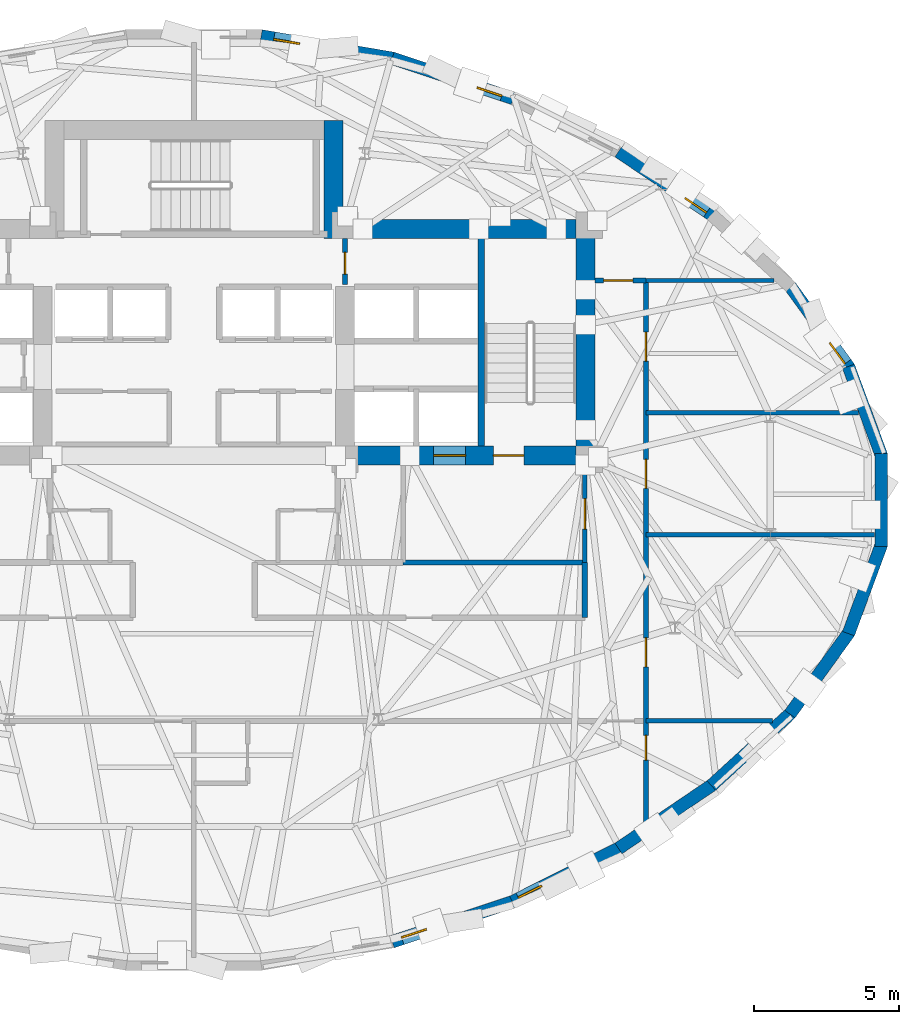
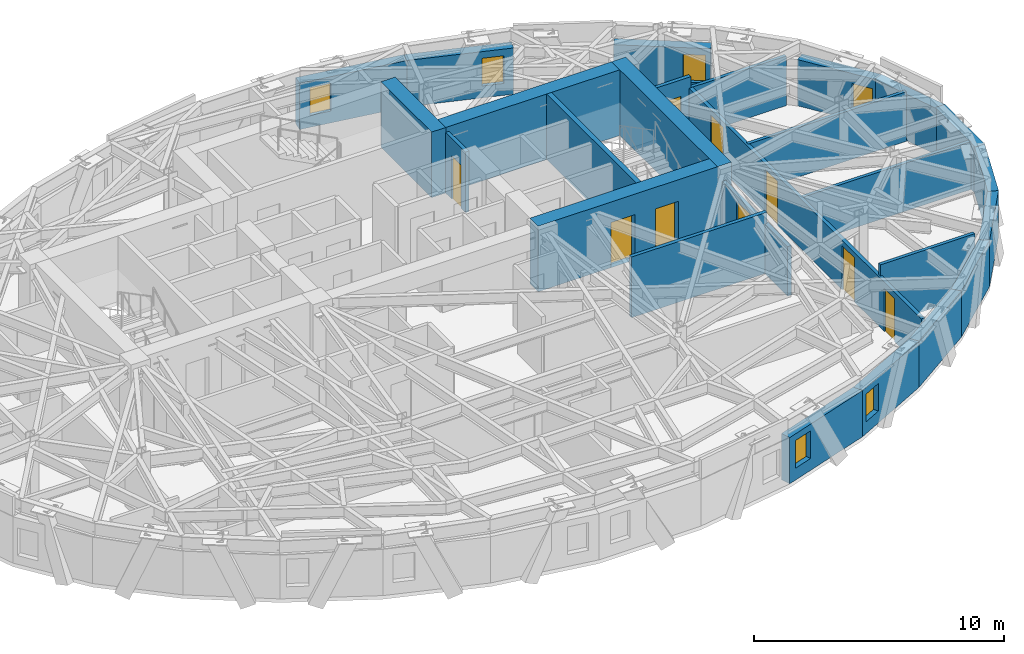
# One storey, part 8 of 12: 27 walls, 9 doors, 6 windows, 15 openings.
"""IFC4 building model written with IfcOpenShell, lengths in metres."""

from ifc_helpers import new_model, si_unit, direction, frame, frame_2d, origin, place, context, subcontext, project, spatial, rectangle, extrude, material, layer, layer_set, type_object, element, fill, save


model = new_model("IFC4")

# Units and contexts
model_context = context("Model", 3, precision=1e-05, world=origin(), true_north=direction((0.0, 1.0)))
body_context = subcontext(model_context, "Body", "Model", "MODEL_VIEW")
ifc_project = project(units=[si_unit("LENGTHUNIT", "METRE"), si_unit("AREAUNIT", "SQUARE_METRE"), si_unit("VOLUMEUNIT", "CUBIC_METRE"), si_unit("PLANEANGLEUNIT", "RADIAN"), si_unit("MASSUNIT", "GRAM", prefix="KILO")], contexts=[model_context])

# Site, building, storey
site_placement = place(None, origin())
site = spatial("IfcSite", under=ifc_project, at=site_placement, CompositionType="ELEMENT")
building_placement = place(site_placement, origin())
building = spatial("IfcBuilding", under=site, at=building_placement, Name="Keldmark Tower", CompositionType="ELEMENT")
storey_placement = place(building_placement, frame((0.0, 0.0, 198.199951171875)))
storey = spatial("IfcBuildingStorey", under=building, at=storey_placement, Name="L55", CompositionType="ELEMENT", Elevation=198.199951171875)

# Walls
ifc_material_1 = material(Name="Heavy Acoustic Plumbing Chase Gypsum Assembly", Category="gypsum")
ifc_layer_1 = layer(ifc_material_1, 0.18994140625)
ifc_layer_set_1 = layer_set([ifc_layer_1], Name="Heavy Acoustic Plumbing Chase Gypsum Assembly")
wall_type_1 = type_object("IfcWallType", Name="Heavy Wet Wall 190 mm", PredefinedType="PLUMBINGWALL", material=ifc_layer_set_1)
wall_1_placement = place(storey_placement, frame((13.449951171875, -4.050048828125, 0.0), z_axis=(0.0, 0.0, 1.0), x_axis=(0.0, 1.0, 0.0)))
element("IfcWall", 1, at=wall_1_placement, inside=storey, type_object=wall_type_1, Name="L55 Heavy Wet Wall 190 mm SPK-E-E", PredefinedType="PLUMBINGWALL", context=body_context, shape_type="SweptSolid", body=[
    extrude(rectangle(XDim=1.900146484375, YDim=0.18994140625, at=frame_2d((0.9501953125, 0.0))), origin(), (0.0, 0.0, 1.0), 2.4130859375),
])
ifc_material_2 = material(Name="Type X Fire-Rated Gypsum Partition Assembly", Category="gypsum")
ifc_layer_2 = layer(ifc_material_2, 0.1650390625)
ifc_layer_set_2 = layer_set([ifc_layer_2], Name="Type X Fire-Rated Gypsum Partition Assembly")
wall_type_2 = type_object("IfcWallType", Name="Rated Partition 165 mm", PredefinedType="PARTITIONING", material=ifc_layer_set_2)
wall_2_placement = place(storey_placement, frame((7.199951171875, -2.14990234375, 0.0), z_axis=(0.0, 0.0, 1.0), x_axis=(1.0, 0.0, 0.0)))
element("IfcWall", 2, at=wall_2_placement, inside=storey, type_object=wall_type_2, Name="L55 Rated Partition 165 mm FSAE-E-S", PredefinedType="PARTITIONING", context=body_context, shape_type="SweptSolid", body=[
    extrude(rectangle(XDim=6.25, YDim=0.1650390625, at=frame_2d((3.125, 0.0))), origin(), (0.0, 0.0, 1.0), 2.9599609375),
])

# Wall, opening, door
wall_3_placement = place(storey_placement, frame((13.449951171875, -2.14990234375, 0.0), z_axis=(0.0, 0.0, 1.0), x_axis=(0.0, 1.0, 0.0)))
wall_3 = element("IfcWall", 3, at=wall_3_placement, inside=storey, type_object=wall_type_2, Name="L55 Rated Partition 165 mm FSAE-E-E", PredefinedType="PARTITIONING", context=body_context, shape_type="SweptSolid", body=[
    extrude(rectangle(XDim=3.39990234375, YDim=0.1650390625, at=frame_2d((1.699951171875, 0.0))), origin(), (0.0, 0.0, 1.0), 2.4130859375),
])
opening_1_placement = place(wall_3_placement, frame((1.14990234375, 0.0, 0.0)))
opening_1 = element("IfcOpeningElement", 4, at=opening_1_placement, cuts=wall_3, Name="Opening D-FL105", PredefinedType="OPENING", context=body_context, shape_type="SweptSolid", body=[
    extrude(rectangle(XDim=1.050048828125, YDim=2.14990234375, at=frame_2d((0.52490234375, 1.074951171875))), frame((0.0, 0.092529296875, 0.0), z_axis=(0.0, -1.0, 0.0), x_axis=(1.0, 0.0, 0.0)), (0.0, 0.0, 1.0), 0.18505859375),
])
ifc_material_3 = material(Name="Fire-Rated Mineral-Core Door and Vision Lite", Category="metal")
door_type_1 = type_object("IfcDoorType", Name="Fire Lobby Door 1050x2150", OperationType="NOTDEFINED", PredefinedType="DOOR", material=ifc_material_3)
door_1_placement = place(opening_1_placement, origin())
door_1 = element("IfcDoor", 5, at=door_1_placement, inside=storey, type_object=door_type_1, Name="L55 Fire Lobby Door 1050x2150 D-FSAEE-OUT-L55", OperationType="SINGLE_SWING_LEFT", OverallHeight=2.14990234375, OverallWidth=1.050048828125, PredefinedType="DOOR", context=body_context, shape_type="SweptSolid", body=[
    extrude(rectangle(XDim=1.050048828125, YDim=2.14990234375, at=frame_2d((0.52490234375, 1.074951171875))), frame((0.0, 0.02490234375, 0.0), z_axis=(0.0, -1.0, 0.0), x_axis=(1.0, 0.0, 0.0)), (0.0, 0.0, 1.0), 0.050048828125),
])
fill(opening_1, door_1)

wall_4_placement = place(storey_placement, frame((5.199951171875, 7.419921875, 0.0), z_axis=(0.0, 0.0, 1.0), x_axis=(0.0, 1.0, 0.0)))
wall_4 = element("IfcWall", 6, at=wall_4_placement, inside=storey, type_object=wall_type_2, Name="L55 Rated Partition 165 mm CS-NE-W", PredefinedType="PARTITIONING", context=body_context, shape_type="SweptSolid", body=[
    extrude(rectangle(XDim=1.580078125, YDim=0.1650390625, at=frame_2d((0.7900390625, 0.0))), origin(), (0.0, 0.0, 1.0), 2.9599609375),
])
opening_2_placement = place(wall_4_placement, frame((0.35009765625, 0.0, 0.0)))
opening_2 = element("IfcOpeningElement", 7, at=opening_2_placement, cuts=wall_4, Name="Opening D-RS075", PredefinedType="OPENING", context=body_context, shape_type="SweptSolid", body=[
    extrude(rectangle(XDim=0.75, YDim=2.10009765625, at=frame_2d((0.375, 1.050048828125))), frame((0.0, 0.092529296875, 0.0), z_axis=(0.0, -1.0, 0.0), x_axis=(1.0, 0.0, 0.0)), (0.0, 0.0, 1.0), 0.18505859375),
])
ifc_material_4 = material(Name="Galvanized Fire-Rated Access Leaf", Category="metal")
door_type_2 = type_object("IfcDoorType", Name="Riser Access Door 750x2100", OperationType="NOTDEFINED", PredefinedType="DOOR", material=ifc_material_4)
door_2_placement = place(opening_2_placement, origin())
door_2 = element("IfcDoor", 8, at=door_2_placement, inside=storey, type_object=door_type_2, Name="L55 Riser Access Door 750x2100 D-CSNE1-L55", OperationType="SINGLE_SWING_LEFT", OverallHeight=2.10009765625, OverallWidth=0.75, PredefinedType="DOOR", context=body_context, shape_type="SweptSolid", body=[
    extrude(rectangle(XDim=0.75, YDim=2.10009765625, at=frame_2d((0.375, 1.050048828125))), frame((0.0, 0.02490234375, 0.0), z_axis=(0.0, -1.0, 0.0), x_axis=(1.0, 0.0, 0.0)), (0.0, 0.0, 1.0), 0.050048828125),
])
fill(opening_2, door_2)

# Wall, openings, doors
wall_5_placement = place(storey_placement, frame((15.550048828125, -11.072509765625, 0.0), z_axis=(0.0, 0.0, 1.0), x_axis=(0.0, 1.0, 0.0)))
wall_5 = element("IfcWall", 9, at=wall_5_placement, inside=storey, type_object=wall_type_2, Name="L55 Rated Partition 165 mm HCOR-E", PredefinedType="PARTITIONING", context=body_context, shape_type="SweptSolid", body=[
    extrude(rectangle(XDim=18.62255859375, YDim=0.1650390625, at=frame_2d((9.311279296875, 0.0))), origin(), (0.0, 0.0, 1.0), 2.4130859375),
])
opening_3_placement = place(wall_5_placement, frame((2.12255859375, 0.0, 0.0)))
opening_3 = element("IfcOpeningElement", 10, at=opening_3_placement, cuts=wall_5, Name="Opening D-IN085", PredefinedType="OPENING", context=body_context, shape_type="SweptSolid", body=[
    extrude(rectangle(XDim=0.85009765625, YDim=2.10009765625, at=frame_2d((0.425048828125, 1.050048828125))), frame((0.0, 0.092529296875, 0.0), z_axis=(0.0, -1.0, 0.0), x_axis=(1.0, 0.0, 0.0)), (0.0, 0.0, 1.0), 0.18505859375),
])
opening_4_placement = place(wall_5_placement, frame((5.33251953125, 0.0, 0.0)))
opening_4 = element("IfcOpeningElement", 11, at=opening_4_placement, cuts=wall_5, Name="Opening D-FD100", PredefinedType="OPENING", context=body_context, shape_type="SweptSolid", body=[
    extrude(rectangle(XDim=1.0, YDim=2.14990234375, at=frame_2d((0.5, 1.074951171875))), frame((0.0, 0.092529296875, 0.0), z_axis=(0.0, -1.0, 0.0), x_axis=(1.0, 0.0, 0.0)), (0.0, 0.0, 1.0), 0.18505859375),
])
opening_5_placement = place(wall_5_placement, frame((11.472412109375, 0.0, 0.0)))
opening_5 = element("IfcOpeningElement", 12, at=opening_5_placement, cuts=wall_5, Name="Opening D-FD100", PredefinedType="OPENING", context=body_context, shape_type="SweptSolid", body=[
    extrude(rectangle(XDim=1.0, YDim=2.14990234375, at=frame_2d((0.5, 1.074951171875))), frame((0.0, 0.092529296875, 0.0), z_axis=(0.0, -1.0, 0.0), x_axis=(1.0, 0.0, 0.0)), (0.0, 0.0, 1.0), 0.18505859375),
])
opening_6_placement = place(wall_5_placement, frame((15.847412109375, 0.0, 0.0)))
opening_6 = element("IfcOpeningElement", 13, at=opening_6_placement, cuts=wall_5, Name="Opening D-FD100", PredefinedType="OPENING", context=body_context, shape_type="SweptSolid", body=[
    extrude(rectangle(XDim=1.0, YDim=2.14990234375, at=frame_2d((0.5, 1.074951171875))), frame((0.0, 0.092529296875, 0.0), z_axis=(0.0, -1.0, 0.0), x_axis=(1.0, 0.0, 0.0)), (0.0, 0.0, 1.0), 0.18505859375),
])
ifc_material_5 = material(Name="Hollow Metal Fire-Rated Corridor Door", Category="metal")
door_type_3 = type_object("IfcDoorType", Name="Fire Door 1000x2150", OperationType="NOTDEFINED", PredefinedType="DOOR", material=ifc_material_5)
door_3_placement = place(opening_4_placement, origin())
door_3 = element("IfcDoor", 14, at=door_3_placement, inside=storey, type_object=door_type_3, Name="L55 Fire Door 1000x2150 D-HESP-1-L55", OperationType="SINGLE_SWING_LEFT", OverallHeight=2.14990234375, OverallWidth=1.0, PredefinedType="DOOR", context=body_context, shape_type="SweptSolid", body=[
    extrude(rectangle(XDim=1.0, YDim=2.14990234375, at=frame_2d((0.5, 1.074951171875))), frame((0.0, 0.02490234375, 0.0), z_axis=(0.0, -1.0, 0.0), x_axis=(1.0, 0.0, 0.0)), (0.0, 0.0, 1.0), 0.050048828125),
])
fill(opening_4, door_3)
door_4_placement = place(opening_5_placement, origin())
door_4 = element("IfcDoor", 15, at=door_4_placement, inside=storey, type_object=door_type_3, Name="L55 Fire Door 1000x2150 D-HESP-2-L55", OperationType="SINGLE_SWING_LEFT", OverallHeight=2.14990234375, OverallWidth=1.0, PredefinedType="DOOR", context=body_context, shape_type="SweptSolid", body=[
    extrude(rectangle(XDim=1.0, YDim=2.14990234375, at=frame_2d((0.5, 1.074951171875))), frame((0.0, 0.02490234375, 0.0), z_axis=(0.0, -1.0, 0.0), x_axis=(1.0, 0.0, 0.0)), (0.0, 0.0, 1.0), 0.050048828125),
])
fill(opening_5, door_4)
door_5_placement = place(opening_6_placement, origin())
door_5 = element("IfcDoor", 16, at=door_5_placement, inside=storey, type_object=door_type_3, Name="L55 Fire Door 1000x2150 D-HESP-3-L55", OperationType="SINGLE_SWING_LEFT", OverallHeight=2.14990234375, OverallWidth=1.0, PredefinedType="DOOR", context=body_context, shape_type="SweptSolid", body=[
    extrude(rectangle(XDim=1.0, YDim=2.14990234375, at=frame_2d((0.5, 1.074951171875))), frame((0.0, 0.02490234375, 0.0), z_axis=(0.0, -1.0, 0.0), x_axis=(1.0, 0.0, 0.0)), (0.0, 0.0, 1.0), 0.050048828125),
])
fill(opening_6, door_5)
ifc_material_6 = material(Name="Painted Architectural Wood", Category="wood")
door_type_4 = type_object("IfcDoorType", Name="Interior Door 850x2100", OperationType="NOTDEFINED", PredefinedType="DOOR", material=ifc_material_6)
door_6_placement = place(opening_3_placement, origin())
door_6 = element("IfcDoor", 17, at=door_6_placement, inside=storey, type_object=door_type_4, Name="L55 Interior Door 850x2100 D-HKSE-L55", OperationType="SINGLE_SWING_RIGHT", OverallHeight=2.10009765625, OverallWidth=0.85009765625, PredefinedType="DOOR", context=body_context, shape_type="SweptSolid", body=[
    extrude(rectangle(XDim=0.85009765625, YDim=2.10009765625, at=frame_2d((0.425048828125, 1.050048828125))), frame((0.0, 0.02490234375, 0.0), z_axis=(0.0, -1.0, 0.0), x_axis=(1.0, 0.0, 0.0)), (0.0, 0.0, 1.0), 0.050048828125),
])
fill(opening_3, door_6)

# Wall, opening, door
wall_6_placement = place(storey_placement, frame((13.800048828125, 7.550048828125, 0.0), z_axis=(0.0, 0.0, 1.0), x_axis=(1.0, 0.0, 0.0)))
wall_6 = element("IfcWall", 18, at=wall_6_placement, inside=storey, type_object=wall_type_2, Name="L55 Rated Partition 165 mm HCOR-EN", PredefinedType="PARTITIONING", context=body_context, shape_type="SweptSolid", body=[
    extrude(rectangle(XDim=1.75, YDim=0.1650390625, at=frame_2d((0.875, 0.0))), origin(), (0.0, 0.0, 1.0), 2.9599609375),
])
opening_7_placement = place(wall_6_placement, frame((0.300048828125, 0.0, 0.0)))
opening_7 = element("IfcOpeningElement", 19, at=opening_7_placement, cuts=wall_6, Name="Opening D-FD100", PredefinedType="OPENING", context=body_context, shape_type="SweptSolid", body=[
    extrude(rectangle(XDim=1.0, YDim=2.14990234375, at=frame_2d((0.5, 1.074951171875))), frame((0.0, 0.092529296875, 0.0), z_axis=(0.0, -1.0, 0.0), x_axis=(1.0, 0.0, 0.0)), (0.0, 0.0, 1.0), 0.18505859375),
])
door_7_placement = place(opening_7_placement, origin())
door_7 = element("IfcDoor", 20, at=door_7_placement, inside=storey, type_object=door_type_3, Name="L55 Fire Door 1000x2150 D-HNNE-L55", OperationType="SINGLE_SWING_RIGHT", OverallHeight=2.14990234375, OverallWidth=1.0, PredefinedType="DOOR", context=body_context, shape_type="SweptSolid", body=[
    extrude(rectangle(XDim=1.0, YDim=2.14990234375, at=frame_2d((0.5, 1.074951171875))), frame((0.0, 0.02490234375, 0.0), z_axis=(0.0, -1.0, 0.0), x_axis=(1.0, 0.0, 0.0)), (0.0, 0.0, 1.0), 0.050048828125),
])
fill(opening_7, door_7)

# Walls
ifc_material_7 = material(Name="Concrete C50/60", Category="concrete")
ifc_layer_3 = layer(ifc_material_7, 0.219970703125)
ifc_layer_set_3 = layer_set([ifc_layer_3], Name="Concrete C50/60")
wall_type_3 = type_object("IfcWallType", Name="Stair Core Shear Wall 220 mm", PredefinedType="SHEAR", material=ifc_layer_set_3)
wall_7_placement = place(storey_placement, frame((9.889892578125, 1.85009765625, 0.0), z_axis=(0.0, 0.0, 1.0), x_axis=(0.0, 1.0, 0.0)))
element("IfcWall", 21, at=wall_7_placement, inside=storey, type_object=wall_type_3, Name="L55 East Stair Core Shear Wall", PredefinedType="SHEAR", context=body_context, shape_type="SweptSolid", body=[
    extrude(rectangle(XDim=7.14990234375, YDim=0.219970703125, at=frame_2d((3.574951171875, 0.0))), origin(), (0.0, 0.0, 1.0), 3.199951171875),
])
ifc_material_8 = material(Name="Ironspot Manganese Brick and Kasota Buff Limestone Spandrel Assembly", Category="masonry")
ifc_layer_4 = layer(ifc_material_8, 0.43994140625)
ifc_layer_set_4 = layer_set([ifc_layer_4], Name="Ironspot Manganese Brick and Kasota Buff Limestone Spandrel Assembly")
wall_type_4 = type_object("IfcWallType", Name="Tower Brick Pier and Spandrel Wall 440 mm", PredefinedType="STANDARD", material=ifc_layer_set_4)
wall_8_placement = place(storey_placement, frame((22.51904296875, 4.597412109375, 0.0), z_axis=(0.0, 0.0, 1.0), x_axis=(0.346793746495, -0.937941414691, 0.0)))
element("IfcWall", 22, at=wall_8_placement, inside=storey, type_object=wall_type_4, Name="L55 Exterior Brick and Spandrel Wall 01", PredefinedType="STANDARD", context=body_context, shape_type="SweptSolid", body=[
    extrude(rectangle(XDim=3.2841796875, YDim=0.43994140625, at=frame_2d((1.64208984375, 0.0))), origin(), (0.0, 0.0, 1.0), 2.255126953125),
])

# Wall, opening, window
wall_9_placement = place(storey_placement, frame((20.504638671875, 7.3662109375, 0.0), z_axis=(0.0, 0.0, 1.0), x_axis=(0.586378206793, -0.810037405678, 0.0)))
wall_9 = element("IfcWall", 23, at=wall_9_placement, inside=storey, type_object=wall_type_4, Name="L55 Exterior Brick and Spandrel Wall 02", PredefinedType="STANDARD", context=body_context, shape_type="SweptSolid", body=[
    extrude(rectangle(XDim=3.483154296875, YDim=0.43994140625, at=frame_2d((1.74169921875, 0.0))), origin(), (0.0, 0.0, 1.0), 2.255126953125),
])
opening_8_placement = place(wall_9_placement, frame((2.383056640625, 0.0, 0.419921875)))
opening_8 = element("IfcOpeningElement", 24, at=opening_8_placement, cuts=wall_9, Name="Opening W-09", PredefinedType="OPENING", context=body_context, shape_type="SweptSolid", body=[
    extrude(rectangle(XDim=0.89990234375, YDim=1.35009765625, at=frame_2d((0.449951171875, 0.675048828125))), frame((0.0, 0.22998046875, 0.0), z_axis=(0.0, -1.0, 0.0), x_axis=(1.0, 0.0, 0.0)), (0.0, 0.0, 1.0), 0.4599609375),
])
ifc_material_9 = material(Name="Thermally Broken Anodized Aluminum and Triple Low-E Argon Glazing", Category="aluminium")
window_type = type_object("IfcWindowType", Name="Corner Pier Deep-Set Window 900x1350", PartitioningType="SINGLE_PANEL", PredefinedType="WINDOW", material=ifc_material_9)
window_1_placement = place(opening_8_placement, origin())
window_1 = element("IfcWindow", 25, at=window_1_placement, inside=storey, type_object=window_type, Name="L55 Deep-Set Window 02", OverallHeight=1.35009765625, OverallWidth=0.89990234375, PartitioningType="SINGLE_PANEL", PredefinedType="WINDOW", context=body_context, shape_type="SweptSolid", body=[
    extrude(rectangle(XDim=0.89990234375, YDim=1.35009765625, at=frame_2d((0.449951171875, 0.675048828125))), frame((0.0, -0.010009765625, 0.0), z_axis=(0.0, -1.0, 0.0), x_axis=(1.0, 0.0, 0.0)), (0.0, 0.0, 1.0), 0.06005859375),
])
fill(opening_8, window_1)

wall_10_placement = place(storey_placement, frame((14.607421875, 11.987060546875, 0.0), z_axis=(0.0, 0.0, 1.0), x_axis=(0.827697624009, -0.561174342972, 0.0)))
wall_10 = element("IfcWall", 26, at=wall_10_placement, inside=storey, type_object=wall_type_4, Name="L55 Exterior Brick and Spandrel Wall 04", PredefinedType="STANDARD", context=body_context, shape_type="SweptSolid", body=[
    extrude(rectangle(XDim=3.888427734375, YDim=0.43994140625, at=frame_2d((1.9443359375, 0.0))), origin(), (0.0, 0.0, 1.0), 2.255126953125),
])
opening_9_placement = place(wall_10_placement, frame((2.788818359375, 0.0, 0.580078125)))
opening_9 = element("IfcOpeningElement", 27, at=opening_9_placement, cuts=wall_10, Name="Opening W-09", PredefinedType="OPENING", context=body_context, shape_type="SweptSolid", body=[
    extrude(rectangle(XDim=0.89990234375, YDim=1.35009765625, at=frame_2d((0.449951171875, 0.675048828125))), frame((0.0, 0.22998046875, 0.0), z_axis=(0.0, -1.0, 0.0), x_axis=(1.0, 0.0, 0.0)), (0.0, 0.0, 1.0), 0.4599609375),
])
window_2_placement = place(opening_9_placement, origin())
window_2 = element("IfcWindow", 28, at=window_2_placement, inside=storey, type_object=window_type, Name="L55 Deep-Set Window 04", OverallHeight=1.35009765625, OverallWidth=0.89990234375, PartitioningType="SINGLE_PANEL", PredefinedType="WINDOW", context=body_context, shape_type="SweptSolid", body=[
    extrude(rectangle(XDim=0.89990234375, YDim=1.35009765625, at=frame_2d((0.449951171875, 0.675048828125))), frame((0.0, -0.010009765625, 0.0), z_axis=(0.0, -1.0, 0.0), x_axis=(1.0, 0.0, 0.0)), (0.0, 0.0, 1.0), 0.06005859375),
])
fill(opening_9, window_2)

wall_11_placement = place(storey_placement, frame((6.82421875, 15.1982421875, 0.0), z_axis=(0.0, 0.0, 1.0), x_axis=(0.94886128517, -0.315693302916, 0.0)))
wall_11 = element("IfcWall", 29, at=wall_11_placement, inside=storey, type_object=wall_type_4, Name="L55 Exterior Brick and Spandrel Wall 06", PredefinedType="STANDARD", context=body_context, shape_type="SweptSolid", body=[
    extrude(rectangle(XDim=4.3857421875, YDim=0.43994140625, at=frame_2d((2.19287109375, 0.0))), origin(), (0.0, 0.0, 1.0), 2.255126953125),
])
opening_10_placement = place(wall_11_placement, frame((3.086669921875, 0.0, 0.580078125)))
opening_10 = element("IfcOpeningElement", 30, at=opening_10_placement, cuts=wall_11, Name="Opening W-09", PredefinedType="OPENING", context=body_context, shape_type="SweptSolid", body=[
    extrude(rectangle(XDim=0.89990234375, YDim=1.35009765625, at=frame_2d((0.449951171875, 0.675048828125))), frame((0.0, 0.22998046875, 0.0), z_axis=(0.0, -1.0, 0.0), x_axis=(1.0, 0.0, 0.0)), (0.0, 0.0, 1.0), 0.4599609375),
])
window_3_placement = place(opening_10_placement, origin())
window_3 = element("IfcWindow", 31, at=window_3_placement, inside=storey, type_object=window_type, Name="L55 Deep-Set Window 06", OverallHeight=1.35009765625, OverallWidth=0.89990234375, PartitioningType="SINGLE_PANEL", PredefinedType="WINDOW", context=body_context, shape_type="SweptSolid", body=[
    extrude(rectangle(XDim=0.89990234375, YDim=1.35009765625, at=frame_2d((0.449951171875, 0.675048828125))), frame((0.0, -0.010009765625, 0.0), z_axis=(0.0, -1.0, 0.0), x_axis=(1.0, 0.0, 0.0)), (0.0, 0.0, 1.0), 0.06005859375),
])
fill(opening_10, window_3)

wall_12_placement = place(storey_placement, frame((2.3134765625, 15.96240234375, 0.0), z_axis=(0.0, 0.0, 1.0), x_axis=(0.985860485502, -0.167568204398, 0.0)))
wall_12 = element("IfcWall", 32, at=wall_12_placement, inside=storey, type_object=wall_type_4, Name="L55 Exterior Brick and Spandrel Wall 07", PredefinedType="STANDARD", context=body_context, shape_type="SweptSolid", body=[
    extrude(rectangle(XDim=4.6083984375, YDim=0.43994140625, at=frame_2d((2.30419921875, 0.0))), origin(), (0.0, 0.0, 1.0), 2.255126953125),
])
opening_11_placement = place(wall_12_placement, frame((0.447021484375, 0.0, 0.580078125)))
opening_11 = element("IfcOpeningElement", 33, at=opening_11_placement, cuts=wall_12, Name="Opening W-09", PredefinedType="OPENING", context=body_context, shape_type="SweptSolid", body=[
    extrude(rectangle(XDim=0.89990234375, YDim=1.35009765625, at=frame_2d((0.449951171875, 0.675048828125))), frame((0.0, 0.22998046875, 0.0), z_axis=(0.0, -1.0, 0.0), x_axis=(1.0, 0.0, 0.0)), (0.0, 0.0, 1.0), 0.4599609375),
])
window_4_placement = place(opening_11_placement, origin())
window_4 = element("IfcWindow", 34, at=window_4_placement, inside=storey, type_object=window_type, Name="L55 Deep-Set Window 07", OverallHeight=1.35009765625, OverallWidth=0.89990234375, PartitioningType="SINGLE_PANEL", PredefinedType="WINDOW", context=body_context, shape_type="SweptSolid", body=[
    extrude(rectangle(XDim=0.89990234375, YDim=1.35009765625, at=frame_2d((0.449951171875, 0.675048828125))), frame((0.0, -0.010009765625, 0.0), z_axis=(0.0, -1.0, 0.0), x_axis=(1.0, 0.0, 0.0)), (0.0, 0.0, 1.0), 0.06005859375),
])
fill(opening_11, window_4)

wall_13_placement = place(storey_placement, frame((10.985595703125, -13.813720703125, 0.0), z_axis=(0.0, 0.0, 1.0), x_axis=(-0.94886128517, -0.315693302916, 0.0)))
wall_13 = element("IfcWall", 35, at=wall_13_placement, inside=storey, type_object=wall_type_4, Name="L55 Exterior Brick and Spandrel Wall 26", PredefinedType="STANDARD", context=body_context, shape_type="SweptSolid", body=[
    extrude(rectangle(XDim=4.3857421875, YDim=0.43994140625, at=frame_2d((2.19287109375, 0.0))), origin(), (0.0, 0.0, 1.0), 2.255126953125),
])
opening_12_placement = place(wall_13_placement, frame((3.136474609375, 0.0, 0.580078125)))
opening_12 = element("IfcOpeningElement", 36, at=opening_12_placement, cuts=wall_13, Name="Opening W-09", PredefinedType="OPENING", context=body_context, shape_type="SweptSolid", body=[
    extrude(rectangle(XDim=0.89990234375, YDim=1.35009765625, at=frame_2d((0.449951171875, 0.675048828125))), frame((0.0, 0.22998046875, 0.0), z_axis=(0.0, -1.0, 0.0), x_axis=(1.0, 0.0, 0.0)), (0.0, 0.0, 1.0), 0.4599609375),
])
window_5_placement = place(opening_12_placement, origin())
window_5 = element("IfcWindow", 37, at=window_5_placement, inside=storey, type_object=window_type, Name="L55 Deep-Set Window 26", OverallHeight=1.35009765625, OverallWidth=0.89990234375, PartitioningType="SINGLE_PANEL", PredefinedType="WINDOW", context=body_context, shape_type="SweptSolid", body=[
    extrude(rectangle(XDim=0.89990234375, YDim=1.35009765625, at=frame_2d((0.449951171875, 0.675048828125))), frame((0.0, -0.010009765625, 0.0), z_axis=(0.0, -1.0, 0.0), x_axis=(1.0, 0.0, 0.0)), (0.0, 0.0, 1.0), 0.06005859375),
])
fill(opening_12, window_5)

wall_14_placement = place(storey_placement, frame((14.6318359375, -11.972900390625, 0.0), z_axis=(0.0, 0.0, 1.0), x_axis=(-0.892939479035, -0.450176728387, 0.0)))
wall_14 = element("IfcWall", 38, at=wall_14_placement, inside=storey, type_object=wall_type_4, Name="L55 Exterior Brick and Spandrel Wall 27", PredefinedType="STANDARD", context=body_context, shape_type="SweptSolid", body=[
    extrude(rectangle(XDim=4.1162109375, YDim=0.43994140625, at=frame_2d((2.05810546875, 0.0))), origin(), (0.0, 0.0, 1.0), 2.255126953125),
])
opening_13_placement = place(wall_14_placement, frame((2.966796875, 0.0, 0.580078125)))
opening_13 = element("IfcOpeningElement", 39, at=opening_13_placement, cuts=wall_14, Name="Opening W-09", PredefinedType="OPENING", context=body_context, shape_type="SweptSolid", body=[
    extrude(rectangle(XDim=0.89990234375, YDim=1.35009765625, at=frame_2d((0.449951171875, 0.675048828125))), frame((0.0, 0.22998046875, 0.0), z_axis=(0.0, -1.0, 0.0), x_axis=(1.0, 0.0, 0.0)), (0.0, 0.0, 1.0), 0.4599609375),
])
window_6_placement = place(opening_13_placement, origin())
window_6 = element("IfcWindow", 40, at=window_6_placement, inside=storey, type_object=window_type, Name="L55 Deep-Set Window 27", OverallHeight=1.35009765625, OverallWidth=0.89990234375, PartitioningType="SINGLE_PANEL", PredefinedType="WINDOW", context=body_context, shape_type="SweptSolid", body=[
    extrude(rectangle(XDim=0.89990234375, YDim=1.35009765625, at=frame_2d((0.449951171875, 0.675048828125))), frame((0.0, -0.010009765625, 0.0), z_axis=(0.0, -1.0, 0.0), x_axis=(1.0, 0.0, 0.0)), (0.0, 0.0, 1.0), 0.06005859375),
])
fill(opening_13, window_6)

# Walls
wall_15_placement = place(storey_placement, frame((17.825927734375, -9.804931640625, 0.0), z_axis=(0.0, 0.0, 1.0), x_axis=(-0.827697624009, -0.561174342972, 0.0)))
element("IfcWall", 41, at=wall_15_placement, inside=storey, type_object=wall_type_4, Name="L55 Exterior Brick and Spandrel Wall 28", PredefinedType="STANDARD", context=body_context, shape_type="SweptSolid", body=[
    extrude(rectangle(XDim=3.888427734375, YDim=0.43994140625, at=frame_2d((1.9443359375, 0.0))), origin(), (0.0, 0.0, 1.0), 2.255126953125),
])
wall_16_placement = place(storey_placement, frame((20.53466796875, -7.33251953125, 0.0), z_axis=(0.0, 0.0, 1.0), x_axis=(-0.738992571182, -0.67371357396, 0.0)))
element("IfcWall", 42, at=wall_16_placement, inside=storey, type_object=wall_type_4, Name="L55 Exterior Brick and Spandrel Wall 29", PredefinedType="STANDARD", context=body_context, shape_type="SweptSolid", body=[
    extrude(rectangle(XDim=3.69873046875, YDim=0.43994140625, at=frame_2d((1.849365234375, 0.0))), origin(), (0.0, 0.0, 1.0), 2.255126953125),
])
wall_17_placement = place(storey_placement, frame((22.547119140625, -4.544677734375, 0.0), z_axis=(0.0, 0.0, 1.0), x_axis=(-0.586378206793, -0.810037405678, 0.0)))
element("IfcWall", 43, at=wall_17_placement, inside=storey, type_object=wall_type_4, Name="L55 Exterior Brick and Spandrel Wall 30", PredefinedType="STANDARD", context=body_context, shape_type="SweptSolid", body=[
    extrude(rectangle(XDim=3.483154296875, YDim=0.43994140625, at=frame_2d((1.74169921875, 0.0))), origin(), (0.0, 0.0, 1.0), 2.255126953125),
])
wall_18_placement = place(storey_placement, frame((23.657958984375, -1.51708984375, 0.0), z_axis=(0.0, 0.0, 1.0), x_axis=(-0.346793746495, -0.937941414691, 0.0)))
element("IfcWall", 44, at=wall_18_placement, inside=storey, type_object=wall_type_4, Name="L55 Exterior Brick and Spandrel Wall 31", PredefinedType="STANDARD", context=body_context, shape_type="SweptSolid", body=[
    extrude(rectangle(XDim=3.2841796875, YDim=0.43994140625, at=frame_2d((1.64208984375, 0.0))), origin(), (0.0, 0.0, 1.0), 2.255126953125),
])
wall_19_placement = place(storey_placement, frame((23.644287109375, 1.593505859375, 0.0), z_axis=(0.0, 0.0, 1.0), x_axis=(0.0, -1.0, 0.0)))
element("IfcWall", 45, at=wall_19_placement, inside=storey, type_object=wall_type_4, Name="L55 Exterior Brick and Spandrel Wall 32", PredefinedType="STANDARD", context=body_context, shape_type="SweptSolid", body=[
    extrude(rectangle(XDim=3.18701171875, YDim=0.43994140625, at=frame_2d((1.593505859375, 0.0))), origin(), (0.0, 0.0, 1.0), 2.259033203125),
])
ifc_material_10 = material(Name="Concrete C50/60", Category="concrete")
ifc_layer_5 = layer(ifc_material_10, 0.64990234375)
ifc_layer_set_5 = layer_set([ifc_layer_5], Name="Concrete C50/60")
wall_type_5 = type_object("IfcWallType", Name="Upper-Mid Core Shear Wall 650 mm", PredefinedType="SHEAR", material=ifc_layer_set_5)
wall_20_placement = place(storey_placement, frame((13.47509765625, 1.199951171875, 0.0), z_axis=(0.0, 0.0, 1.0), x_axis=(0.0, 1.0, 0.0)))
element("IfcWall", 46, at=wall_20_placement, inside=storey, type_object=wall_type_5, Name="L55 East Core Outer Shear Wall", PredefinedType="SHEAR", context=body_context, shape_type="SweptSolid", body=[
    extrude(rectangle(XDim=8.449951171875, YDim=0.64990234375, at=frame_2d((4.22509765625, 0.0))), origin(), (0.0, 0.0, 1.0), 3.199951171875),
])
wall_21_placement = place(storey_placement, frame((4.47509765625, 9.324951171875, 0.0), z_axis=(0.0, 0.0, 1.0), x_axis=(1.0, 0.0, 0.0)))
element("IfcWall", 47, at=wall_21_placement, inside=storey, type_object=wall_type_5, Name="L55 East Core North Shear Wall", PredefinedType="SHEAR", context=body_context, shape_type="SweptSolid", body=[
    extrude(rectangle(XDim=9.324951171875, YDim=0.64990234375, at=frame_2d((4.66259765625, 0.0))), origin(), (0.0, 0.0, 1.0), 3.199951171875),
])

# Wall, openings, doors
wall_22_placement = place(storey_placement, frame((13.800048828125, 1.52490234375, 0.0), z_axis=(0.0, 0.0, 1.0), x_axis=(-1.0, 0.0, 0.0)))
wall_22 = element("IfcWall", 48, at=wall_22_placement, inside=storey, type_object=wall_type_5, Name="L55 East Core South Shear Wall", PredefinedType="SHEAR", context=body_context, shape_type="SweptSolid", body=[
    extrude(rectangle(XDim=8.925048828125, YDim=0.64990234375, at=frame_2d((4.46240234375, 0.0))), origin(), (0.0, 0.0, 1.0), 3.199951171875),
])
opening_14_placement = place(wall_22_placement, frame((2.449951171875, 0.0, 0.0)))
opening_14 = element("IfcOpeningElement", 49, at=opening_14_placement, cuts=wall_22, Name="Opening D-ST105", PredefinedType="OPENING", context=body_context, shape_type="SweptSolid", body=[
    extrude(rectangle(XDim=1.050048828125, YDim=2.14990234375, at=frame_2d((0.52490234375, 1.074951171875))), frame((0.0, 0.3349609375, 0.0), z_axis=(0.0, -1.0, 0.0), x_axis=(1.0, 0.0, 0.0)), (0.0, 0.0, 1.0), 0.669921875),
])
opening_15_placement = place(wall_22_placement, frame((4.449951171875, 0.0, 0.0)))
opening_15 = element("IfcOpeningElement", 50, at=opening_15_placement, cuts=wall_22, Name="Opening LD-110", PredefinedType="OPENING", context=body_context, shape_type="SweptSolid", body=[
    extrude(rectangle(XDim=1.10009765625, YDim=2.199951171875, at=frame_2d((0.550048828125, 1.10009765625))), frame((0.0, 0.3349609375, 0.0), z_axis=(0.0, -1.0, 0.0), x_axis=(1.0, 0.0, 0.0)), (0.0, 0.0, 1.0), 0.669921875),
])
ifc_material_11 = material(Name="Brushed Bronze Hoistway Sliding Leaf", Category="metal")
door_type_5 = type_object("IfcDoorType", Name="Lift Landing Sliding Door 1100x2200", OperationType="SLIDING_TO_LEFT", PredefinedType="DOOR", material=ifc_material_11)
door_8_placement = place(opening_15_placement, origin())
door_8 = element("IfcDoor", 51, at=door_8_placement, inside=storey, type_object=door_type_5, Name="L55 Lift Landing Sliding Door 1100x2200 LD-EL-FS2-L55", OperationType="SLIDING_TO_LEFT", OverallHeight=2.199951171875, OverallWidth=1.10009765625, PredefinedType="DOOR", context=body_context, shape_type="SweptSolid", body=[
    extrude(rectangle(XDim=1.10009765625, YDim=2.199951171875, at=frame_2d((0.550048828125, 1.10009765625))), frame((0.0, 0.02490234375, 0.0), z_axis=(0.0, -1.0, 0.0), x_axis=(1.0, 0.0, 0.0)), (0.0, 0.0, 1.0), 0.050048828125),
])
fill(opening_15, door_8)
ifc_material_12 = material(Name="Hollow Metal Fire-Rated Door Assembly", Category="metal")
door_type_6 = type_object("IfcDoorType", Name="Stair Fire Door 1050x2150", OperationType="NOTDEFINED", PredefinedType="DOOR", material=ifc_material_12)
door_9_placement = place(opening_14_placement, origin())
door_9 = element("IfcDoor", 52, at=door_9_placement, inside=storey, type_object=door_type_6, Name="L55 Stair Fire Door 1050x2150 D-ST2-L55", OperationType="SINGLE_SWING_LEFT", OverallHeight=2.14990234375, OverallWidth=1.050048828125, PredefinedType="DOOR", context=body_context, shape_type="SweptSolid", body=[
    extrude(rectangle(XDim=1.050048828125, YDim=2.14990234375, at=frame_2d((0.52490234375, 1.074951171875))), frame((0.0, 0.02490234375, 0.0), z_axis=(0.0, -1.0, 0.0), x_axis=(1.0, 0.0, 0.0)), (0.0, 0.0, 1.0), 0.050048828125),
])
fill(opening_14, door_9)

# Walls
wall_23_placement = place(storey_placement, frame((4.800048828125, 9.0, 0.0), z_axis=(0.0, 0.0, 1.0), x_axis=(0.0, 1.0, 0.0)))
element("IfcWall", 53, at=wall_23_placement, inside=storey, type_object=wall_type_5, Name="L55 North Core East Shear Wall", PredefinedType="SHEAR", context=body_context, shape_type="SweptSolid", body=[
    extrude(rectangle(XDim=4.050048828125, YDim=0.64990234375, at=frame_2d((2.02490234375, 0.0))), origin(), (0.0, 0.0, 1.0), 3.199951171875),
])
ifc_material_13 = material(Name="Moisture-Resistant Gypsum Plumbing Partition", Category="gypsum")
ifc_layer_6 = layer(ifc_material_13, 0.14990234375)
ifc_layer_set_6 = layer_set([ifc_layer_6], Name="Moisture-Resistant Gypsum Plumbing Partition")
wall_type_6 = type_object("IfcWallType", Name="Wet Wall 150 mm", PredefinedType="PLUMBINGWALL", material=ifc_layer_set_6)
wall_24_placement = place(storey_placement, frame((15.550048828125, 7.550048828125, 0.0), z_axis=(0.0, 0.0, 1.0), x_axis=(1.0, 0.0, 0.0)))
element("IfcWall", 54, at=wall_24_placement, inside=storey, type_object=wall_type_6, Name="L55 Wet Wall 150 mm HE-CAP-N", PredefinedType="PLUMBINGWALL", context=body_context, shape_type="SweptSolid", body=[
    extrude(rectangle(XDim=4.40771484375, YDim=0.14990234375, at=frame_2d((2.203857421875, 0.0))), origin(), (0.0, 0.0, 1.0), 2.4130859375),
])
wall_25_placement = place(storey_placement, frame((15.550048828125, -7.60009765625, 0.0), z_axis=(0.0, 0.0, 1.0), x_axis=(1.0, 0.0, 0.0)))
element("IfcWall", 55, at=wall_25_placement, inside=storey, type_object=wall_type_6, Name="L55 Wet Wall 150 mm HE-CAP-S", PredefinedType="PLUMBINGWALL", context=body_context, shape_type="SweptSolid", body=[
    extrude(rectangle(XDim=4.352783203125, YDim=0.14990234375, at=frame_2d((2.17626953125, 0.0))), origin(), (0.0, 0.0, 1.0), 2.9599609375),
])
wall_26_placement = place(storey_placement, frame((15.550048828125, -1.199951171875, 0.0), z_axis=(0.0, 0.0, 1.0), x_axis=(1.0, 0.0, 0.0)))
element("IfcWall", 56, at=wall_26_placement, inside=storey, type_object=wall_type_6, Name="L55 Wet Wall 150 mm HE-DIV-1", PredefinedType="PLUMBINGWALL", context=body_context, shape_type="SweptSolid", body=[
    extrude(rectangle(XDim=7.8662109375, YDim=0.14990234375, at=frame_2d((3.93310546875, 0.0))), origin(), (0.0, 0.0, 1.0), 2.338134765625),
])
wall_27_placement = place(storey_placement, frame((15.550048828125, 3.0, 0.0), z_axis=(0.0, 0.0, 1.0), x_axis=(1.0, 0.0, 0.0)))
element("IfcWall", 57, at=wall_27_placement, inside=storey, type_object=wall_type_6, Name="L55 Wet Wall 150 mm HE-DIV-2", PredefinedType="PLUMBINGWALL", context=body_context, shape_type="SweptSolid", body=[
    extrude(rectangle(XDim=7.316650390625, YDim=0.14990234375, at=frame_2d((3.658203125, 0.0))), origin(), (0.0, 0.0, 1.0), 2.4130859375),
])

save(model, "model.ifc")
